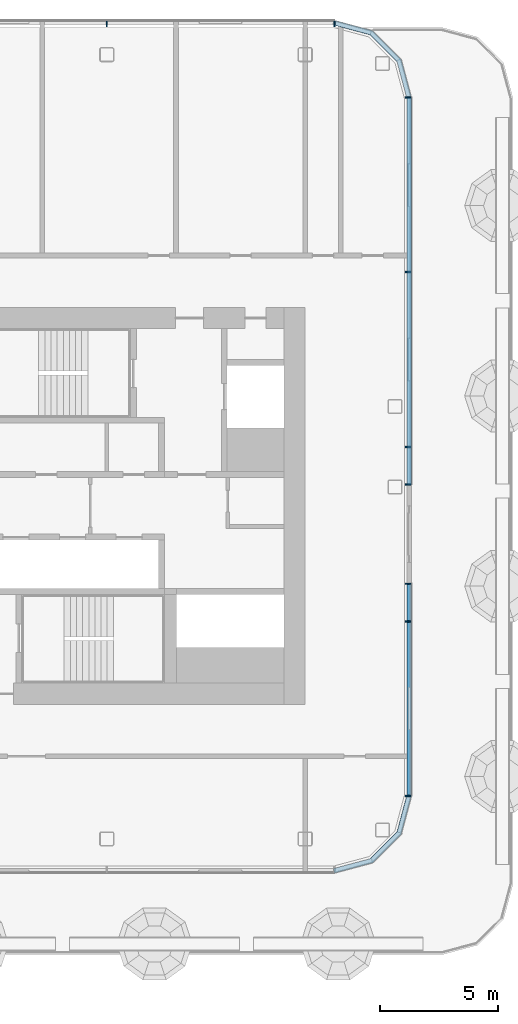
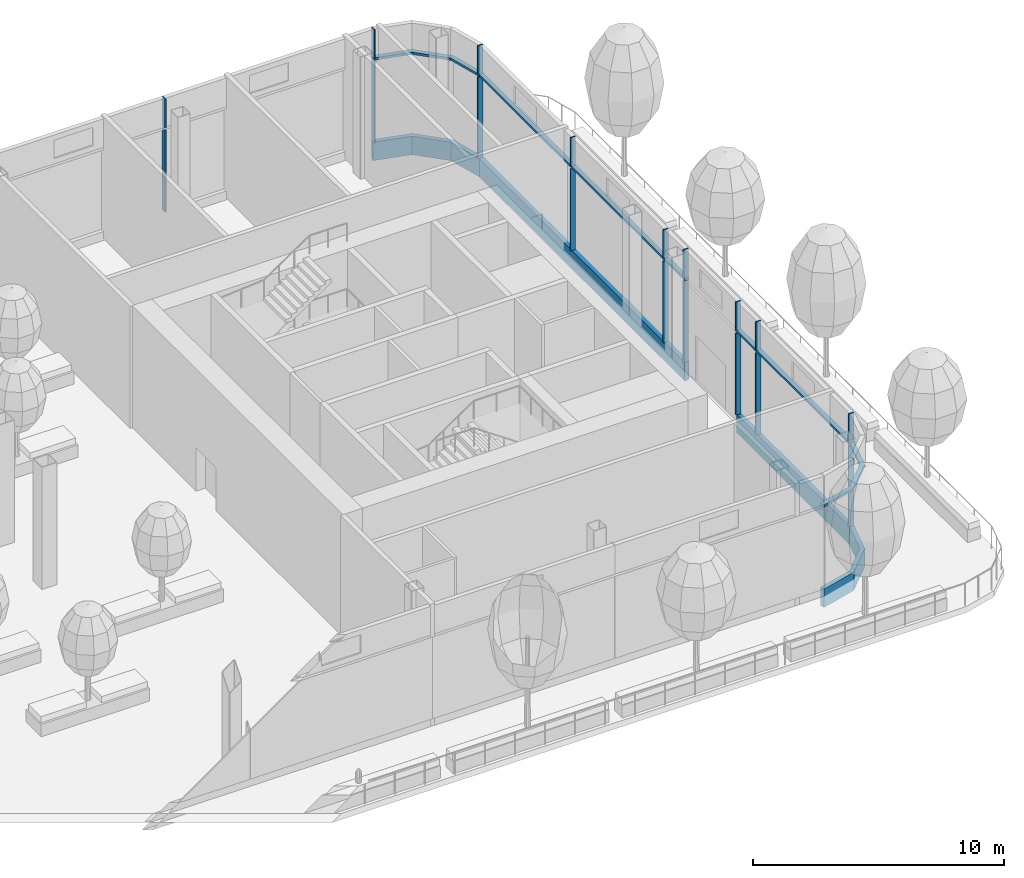
# One storey, part 8 of 41: 26 members, 4 elements without a shape of their own.
"""IFC4 building model written with IfcOpenShell, lengths in metres."""

import ifcopenshell
import ifcopenshell.guid

model = None  # the IFC model being written
_history = None  # IfcOwnerHistory: only IFC2X3 demands one
_inside = {}  # id of a spatial element -> (the spatial element, [elements in it])
_under = {}  # id of a project, library or spatial element -> (it, [spatial elements below it])
_declared = {}  # id of a project -> (the project, [libraries it declares])
_typed = {}  # id of a type object -> (the type object, [elements of that type])
_made_of = {}  # id of a material, layer set ... -> (it, [elements and type objects made of it])


def new_model(schema):
    """Start an empty IFC model of exactly this schema.

    Asked for "IFC4X3", IfcOpenShell would pick the latest addendum, in which some entities
    have other attributes; the version numbers below select the first issue.
    IFC2X3 requires an IfcOwnerHistory on every rooted entity: one is made here for all.
    """
    global model, _history
    if schema == "IFC4X3":
        model = ifcopenshell.file(schema_version=(4, 3, 0, 0))
    else:
        model = ifcopenshell.file(schema=schema)
    _inside.clear()
    _under.clear()
    _declared.clear()
    _typed.clear()
    _made_of.clear()
    _history = None
    if model.schema == "IFC2X3":
        org = make("IfcOrganization", Name="unknown")
        user = make(
            "IfcPersonAndOrganization",
            ThePerson=make("IfcPerson", FamilyName="unknown"),
            TheOrganization=org,
        )
        app = make(
            "IfcApplication",
            ApplicationDeveloper=org,
            Version="unknown",
            ApplicationFullName="unknown",
            ApplicationIdentifier="unknown",
        )
        _history = make(
            "IfcOwnerHistory",
            OwningUser=user,
            OwningApplication=app,
            ChangeAction="ADDED",
            CreationDate=0,
        )
    return model


def make(cls, **values):
    """One entity of the class cls with the attributes given. An attribute that is None is left unset."""
    return model.create_entity(
        cls, **{name: value for name, value in values.items() if value is not None}
    )


def rooted(cls, **values):
    """An entity with a GlobalId (a new one), such as an element, a storey or a relation."""
    return make(cls, GlobalId=ifcopenshell.guid.new(), OwnerHistory=_history, **values)


def si_unit(unit_type, name, prefix=None):
    """IfcSIUnit, for example si_unit("LENGTHUNIT", "METRE", prefix="MILLI")."""
    return make("IfcSIUnit", UnitType=unit_type, Prefix=prefix, Name=name)


def assignment(units):
    """IfcUnitAssignment: the units of a project."""
    return None if units is None else make("IfcUnitAssignment", Units=units)


def point(xyz):
    """IfcCartesianPoint."""
    return None if xyz is None else make("IfcCartesianPoint", Coordinates=xyz)


def direction(xyz):
    """IfcDirection."""
    return None if xyz is None else make("IfcDirection", DirectionRatios=xyz)


def frame(location, z_axis=None, x_axis=None):
    """IfcAxis2Placement3D, a coordinate frame: its origin and axes. An axis left out is left unset."""
    return make(
        "IfcAxis2Placement3D",
        Location=point(location),
        Axis=direction(z_axis),
        RefDirection=direction(x_axis),
    )


def frame_2d(location, x_axis=None):
    """IfcAxis2Placement2D, a coordinate frame in the plane: its origin and x axis."""
    return make(
        "IfcAxis2Placement2D", Location=point(location), RefDirection=direction(x_axis)
    )


def origin():
    """The frame at (0, 0, 0) with its axes left unset."""
    return frame((0.0, 0.0, 0.0))


def origin_2d():
    """The frame at (0, 0) in the plane with its x axis left unset."""
    return frame_2d((0.0, 0.0))


def place(relative_to, where):
    """IfcLocalPlacement: puts the frame where relative to a parent placement (None: the world)."""
    return make(
        "IfcLocalPlacement", PlacementRelTo=relative_to, RelativePlacement=where
    )


def context(
    kind, dimensions, precision=None, world=None, true_north=None, identifier=None
):
    """IfcGeometricRepresentationContext, for example the 3D "Model" context."""
    return make(
        "IfcGeometricRepresentationContext",
        ContextIdentifier=identifier,
        ContextType=kind,
        CoordinateSpaceDimension=dimensions,
        Precision=precision,
        WorldCoordinateSystem=world,
        TrueNorth=true_north,
    )


def subcontext(parent, identifier, kind, view, scale=None):
    """IfcGeometricRepresentationSubContext, for example "Body" below "Model"."""
    return make(
        "IfcGeometricRepresentationSubContext",
        ContextIdentifier=identifier,
        ContextType=kind,
        ParentContext=parent,
        TargetScale=scale,
        TargetView=view,
    )


def project(units=None, contexts=None):
    """IfcProject with its units and contexts."""
    return rooted(
        "IfcProject",
        Name="project",
        RepresentationContexts=contexts,
        UnitsInContext=assignment(units),
    )


def spatial(cls, under=None, at=None, **own):
    """A site, building, storey or space (cls), placed at a placement, below another one or the project."""
    s = rooted(cls, ObjectPlacement=at, **own)
    if under is not None:
        _under.setdefault(under.id(), (under, []))[1].append(s)
    return s


def polyline(points):
    """IfcPolyline through the points."""
    return make("IfcPolyline", Points=[point(p) for p in points])


def profile(cls, at=None, kind="AREA", **sizes):
    """A parametric profile (cls). Its sizes go by their IFC names, for example OverallWidth=200.0."""
    return make(cls, ProfileType=kind, Position=at, **sizes)


def rectangle(**sizes):
    """IfcRectangleProfileDef."""
    return profile("IfcRectangleProfileDef", **sizes)


def outline(outer, holes=None, kind="AREA"):
    """IfcArbitraryClosedProfileDef: a profile drawn as a closed curve; with holes, ...WithVoids."""
    if holes is None:
        return make("IfcArbitraryClosedProfileDef", ProfileType=kind, OuterCurve=outer)
    return make(
        "IfcArbitraryProfileDefWithVoids",
        ProfileType=kind,
        OuterCurve=outer,
        InnerCurves=holes,
    )


def extrude(swept, where, along, depth):
    """IfcExtrudedAreaSolid: the profile swept, set in the frame where, extruded along a direction by depth."""
    return make(
        "IfcExtrudedAreaSolid",
        SweptArea=swept,
        Position=where,
        ExtrudedDirection=direction(along),
        Depth=depth,
    )


def shape(context_of_items, identifier, shape_type, items):
    """IfcShapeRepresentation: the items that make up one representation, for example the "Body"."""
    return make(
        "IfcShapeRepresentation",
        ContextOfItems=context_of_items,
        RepresentationIdentifier=identifier,
        RepresentationType=shape_type,
        Items=items,
    )


def material(Name=None, Category=None):
    """IfcMaterial."""
    return make("IfcMaterial", Name=Name, Category=Category)


def layer(
    of_material, thickness, ventilated=None, Name=None, Category=None, Priority=None
):
    """IfcMaterialLayer: one layer of a wall or slab, of a material (None: an air gap)."""
    return make(
        "IfcMaterialLayer",
        Material=of_material,
        LayerThickness=thickness,
        IsVentilated=ventilated,
        Name=Name,
        Category=Category,
        Priority=Priority,
    )


def layer_set(layers, Name=None):
    """IfcMaterialLayerSet."""
    return make("IfcMaterialLayerSet", MaterialLayers=layers, LayerSetName=Name)


def material_profile(
    of_material, cross_section, Name=None, Category=None, Priority=None
):
    """IfcMaterialProfile: a cross section and its material."""
    return make(
        "IfcMaterialProfile",
        Name=Name,
        Material=of_material,
        Profile=cross_section,
        Priority=Priority,
        Category=Category,
    )


def profile_set(profiles, Name=None, composite=None):
    """IfcMaterialProfileSet."""
    return make(
        "IfcMaterialProfileSet",
        Name=Name,
        MaterialProfiles=profiles,
        CompositeProfile=composite,
    )


def made_of(thing, what):
    """Note that an element or type object is made of a material, layer set ...; save() writes the relation."""
    if what is not None:
        _made_of.setdefault(what.id(), (what, []))[1].append(thing)
    return thing


def type_object(cls, material=None, **own):
    """A type object (cls), such as IfcWallType, which elements share."""
    return made_of(rooted(cls, **own), material)


def element(
    cls,
    number,
    at=None,
    inside=None,
    cuts=None,
    type_object=None,
    material=None,
    context=None,
    identifier="Body",
    shape_type=None,
    held_by="IfcProductDefinitionShape",
    body=None,
    shapes=None,
    **own,
):
    """One element of the class cls, such as IfcWall. Its Tag is "e" and its number.

    at: its placement. inside: the storey or other place that contains it. cuts: it is an
    opening in that element (IfcRelVoidsElement). A single representation is given by context,
    identifier, shape_type and body (its items); several are given by shapes. held_by: the class
    of the entity that holds the representations. save() writes the other relations.
    """
    e = rooted(cls, Tag="e%d" % number, ObjectPlacement=at, **own)
    if body is not None:
        shapes = [shape(context, identifier, shape_type, body)]
    if shapes is not None:
        e.Representation = make(held_by, Representations=shapes)
    if inside is not None:
        _inside.setdefault(inside.id(), (inside, []))[1].append(e)
    if cuts is not None:
        rooted(
            "IfcRelVoidsElement", RelatingBuildingElement=cuts, RelatedOpeningElement=e
        )
    if type_object is not None:
        _typed.setdefault(type_object.id(), (type_object, []))[1].append(e)
    return made_of(e, material)


def aggregate(whole, parts):
    """IfcRelAggregates: a whole, such as a stair, and the parts it consists of."""
    return rooted("IfcRelAggregates", RelatingObject=whole, RelatedObjects=parts)


def save(model, path):
    """Write the relations noted so far, then the file.

    IfcRelAggregates (storeys below a building ...), IfcRelContainedInSpatialStructure (elements
    in a storey), IfcRelDefinesByType, IfcRelAssociatesMaterial and IfcRelDeclares: one each for
    every whole, place, type object, material and project.
    """
    for whole, parts in _under.values():
        aggregate(whole, parts)
    for where, things in _inside.values():
        rooted(
            "IfcRelContainedInSpatialStructure",
            RelatedElements=things,
            RelatingStructure=where,
        )
    for kind, things in _typed.values():
        rooted("IfcRelDefinesByType", RelatedObjects=things, RelatingType=kind)
    for what, things in _made_of.values():
        rooted("IfcRelAssociatesMaterial", RelatedObjects=things, RelatingMaterial=what)
    for by, libraries in _declared.values():
        rooted("IfcRelDeclares", RelatingContext=by, RelatedDefinitions=libraries)
    model.write(path)


model = new_model("IFC4")

# Units and contexts
model_context = context("Model", 3, precision=1e-05, world=origin(), true_north=direction((0.0, 1.0)))
body_context = subcontext(model_context, "Body", "Model", "MODEL_VIEW")
ifc_project = project(units=[si_unit("LENGTHUNIT", "METRE"), si_unit("AREAUNIT", "SQUARE_METRE"), si_unit("VOLUMEUNIT", "CUBIC_METRE"), si_unit("PLANEANGLEUNIT", "RADIAN"), si_unit("MASSUNIT", "GRAM", prefix="KILO")], contexts=[model_context])

# Site, building, storey
site_placement = place(None, origin())
site = spatial("IfcSite", under=ifc_project, at=site_placement, CompositionType="ELEMENT")
building_placement = place(site_placement, origin())
building = spatial("IfcBuilding", under=site, at=building_placement, Name="Hakoniwa Tower and Hamabe Station Hall", CompositionType="ELEMENT")
storey_placement = place(building_placement, frame((0.0, 0.0, 180.199951171875)))
storey = spatial("IfcBuildingStorey", under=building, at=storey_placement, Name="L51", CompositionType="ELEMENT", Elevation=180.199951171875)

# Curtain wall, members
ifc_material_1 = material(Name="Dark low-e laminated glass", Category="glass")
ifc_layer = layer(ifc_material_1, 0.199951171875)
ifc_layer_set = layer_set([ifc_layer], Name="CW-2 SKY GARDEN")
curtain_wall_type = type_object("IfcCurtainWallType", Name="CW-2 SKY GARDEN", PredefinedType="NOTDEFINED", material=ifc_layer_set)
curtain_wall_1_placement = place(storey_placement, origin())
curtain_wall_1 = element("IfcCurtainWall", 1, at=curtain_wall_1_placement, inside=storey, type_object=curtain_wall_type, Name="CW-2 curtain wall", PredefinedType="NOTDEFINED")
ifc_material_2 = material(Name="Aluminium 6063-T5 black anodised", Category="aluminium")
ifc_material_profile_1 = material_profile(ifc_material_2, rectangle(XDim=0.199951171875, YDim=0.1201171875, at=origin_2d()), Name="CW MID TRANSOM 120X200")
ifc_profile_set_1 = profile_set([ifc_material_profile_1], Name="Aluminium 6063-T5 black anodised")
member_type_1 = type_object("IfcMemberType", Name="CW MID TRANSOM 120X200", PredefinedType="USERDEFINED", material=ifc_profile_set_1)
member_1_placement = place(storey_placement, frame((38.0, -12.28955078125, 4.39013671875), z_axis=(0.0, 1.0, 0.0), x_axis=(-1.0, 0.0, 0.0)))
member_1 = element("IfcMember", 2, at=member_1_placement, type_object=member_type_1, Name="CW-2 transom", ObjectType="TRANSOM", PredefinedType="USERDEFINED", context=body_context, shape_type="SweptSolid", body=[
    extrude(rectangle(XDim=0.199951171875, YDim=0.1201171875, at=origin_2d()), origin(), (0.0, 0.0, 1.0), 9.022216796875),
])
member_2_placement = place(storey_placement, frame((38.0, 0.87255859375, 4.39013671875), z_axis=(0.0, 1.0, 0.0), x_axis=(-1.0, 0.0, 0.0)))
member_2 = element("IfcMember", 3, at=member_2_placement, type_object=member_type_1, Name="CW-2 transom", ObjectType="TRANSOM", PredefinedType="USERDEFINED", context=body_context, shape_type="SweptSolid", body=[
    extrude(rectangle(XDim=0.199951171875, YDim=0.1201171875, at=origin_2d()), origin(), (0.0, 0.0, 1.0), 16.4169921875),
])

# Curtain wall, member
curtain_wall_2_placement = place(storey_placement, origin())
curtain_wall_2 = element("IfcCurtainWall", 4, at=curtain_wall_2_placement, inside=storey, type_object=curtain_wall_type, Name="CW-2 curtain wall", PredefinedType="NOTDEFINED")
member_3_placement = place(storey_placement, frame((0.0, 0.0, 4.330078125)))
member_3 = element("IfcMember", 5, at=member_3_placement, type_object=member_type_1, Name="CW-2 transom", ObjectType="TRANSOM", PredefinedType="USERDEFINED", context=body_context, shape_type="SweptSolid", body=[
    extrude(outline(polyline([(38.10009765625, 17.28955078125), (37.6669921875, 18.9052734375), (36.455322265625, 20.116943359375), (34.839599609375, 20.550048828125), (34.787841796875, 20.35693359375), (36.351806640625, 19.937744140625), (37.48779296875, 18.8017578125), (37.90673828125, 17.23779296875), (38.10009765625, 17.28955078125)])), origin(), (0.0, 0.0, 1.0), 0.119873046875),
])

curtain_wall_3_placement = place(storey_placement, origin())
curtain_wall_3 = element("IfcCurtainWall", 6, at=curtain_wall_3_placement, inside=storey, type_object=curtain_wall_type, Name="CW-2 curtain wall", PredefinedType="NOTDEFINED")
member_4_placement = place(storey_placement, frame((0.0, 0.0, 4.330078125)))
member_4 = element("IfcMember", 7, at=member_4_placement, type_object=member_type_1, Name="CW-2 transom", ObjectType="TRANSOM", PredefinedType="USERDEFINED", context=body_context, shape_type="SweptSolid", body=[
    extrude(outline(polyline([(34.839599609375, -15.550048828125), (36.455322265625, -15.116943359375), (37.6669921875, -13.9052734375), (38.10009765625, -12.28955078125), (37.90673828125, -12.23779296875), (37.48779296875, -13.8017578125), (36.351806640625, -14.937744140625), (34.787841796875, -15.35693359375), (34.839599609375, -15.550048828125)])), origin(), (0.0, 0.0, 1.0), 0.119873046875),
])

# Member
ifc_material_3 = material(Name="Aluminium 6063-T5 black anodised", Category="aluminium")
ifc_material_profile_2 = material_profile(ifc_material_3, rectangle(XDim=0.199951171875, YDim=0.89990234375, at=origin_2d()), Name="CW SLAB-EDGE BAND 900X200")
ifc_profile_set_2 = profile_set([ifc_material_profile_2], Name="Aluminium 6063-T5 black anodised")
member_type_2 = type_object("IfcMemberType", Name="CW SLAB-EDGE BAND 900X200", PredefinedType="USERDEFINED", material=ifc_profile_set_2)
member_5_placement = place(storey_placement, frame((38.0, -12.28955078125, -0.099853515625), z_axis=(0.0, 1.0, 0.0), x_axis=(-1.0, 0.0, 0.0)))
member_5 = element("IfcMember", 8, at=member_5_placement, type_object=member_type_2, Name="CW-2 transom", ObjectType="TRANSOM", PredefinedType="USERDEFINED", context=body_context, shape_type="SweptSolid", body=[
    extrude(rectangle(XDim=0.199951171875, YDim=0.89990234375, at=origin_2d()), origin(), (0.0, 0.0, 1.0), 9.022216796875),
])

member_6_placement = place(storey_placement, frame((38.0, 0.87255859375, -0.099853515625), z_axis=(0.0, 1.0, 0.0), x_axis=(-1.0, 0.0, 0.0)))
member_6 = element("IfcMember", 9, at=member_6_placement, type_object=member_type_2, Name="CW-2 transom", ObjectType="TRANSOM", PredefinedType="USERDEFINED", context=body_context, shape_type="SweptSolid", body=[
    extrude(rectangle(XDim=0.199951171875, YDim=0.89990234375, at=origin_2d()), origin(), (0.0, 0.0, 1.0), 16.4169921875),
])

member_7_placement = place(storey_placement, frame((0.0, 0.0, -0.550048828125)))
member_7 = element("IfcMember", 10, at=member_7_placement, type_object=member_type_2, Name="CW-2 transom", ObjectType="TRANSOM", PredefinedType="USERDEFINED", context=body_context, shape_type="SweptSolid", body=[
    extrude(outline(polyline([(38.10009765625, 17.28955078125), (37.6669921875, 18.9052734375), (36.455322265625, 20.116943359375), (34.839599609375, 20.550048828125), (34.787841796875, 20.35693359375), (36.351806640625, 19.937744140625), (37.48779296875, 18.8017578125), (37.90673828125, 17.23779296875), (38.10009765625, 17.28955078125)])), origin(), (0.0, 0.0, 1.0), 0.900146484375),
])

aggregate(curtain_wall_2, [member_7, member_3])

member_8_placement = place(storey_placement, frame((0.0, 0.0, -0.550048828125)))
member_8 = element("IfcMember", 11, at=member_8_placement, type_object=member_type_2, Name="CW-2 transom", ObjectType="TRANSOM", PredefinedType="USERDEFINED", context=body_context, shape_type="SweptSolid", body=[
    extrude(outline(polyline([(34.839599609375, -15.550048828125), (36.455322265625, -15.116943359375), (37.6669921875, -13.9052734375), (38.10009765625, -12.28955078125), (37.90673828125, -12.23779296875), (37.48779296875, -13.8017578125), (36.351806640625, -14.937744140625), (34.787841796875, -15.35693359375), (34.839599609375, -15.550048828125)])), origin(), (0.0, 0.0, 1.0), 0.900146484375),
])

aggregate(curtain_wall_3, [member_8, member_4])

ifc_material_4 = material(Name="Aluminium 6063-T5 black anodised", Category="aluminium")
ifc_material_profile_3 = material_profile(ifc_material_4, rectangle(XDim=0.06005859375, YDim=0.239990234375, at=origin_2d()), Name="CW-2 MULLION 60X240")
ifc_profile_set_3 = profile_set([ifc_material_profile_3], Name="Aluminium 6063-T5 black anodised")
member_type_3 = type_object("IfcMemberType", Name="CW-2 MULLION 60X240", PredefinedType="MULLION", material=ifc_profile_set_3)
member_9_placement = place(storey_placement, frame((37.951904296875, -12.28955078125, 0.35009765625), z_axis=(0.0, 0.0, 1.0), x_axis=(0.0, 1.0, 0.0)))
member_9 = element("IfcMember", 12, at=member_9_placement, type_object=member_type_3, Name="CW-2 mullion", PredefinedType="MULLION", context=body_context, shape_type="SweptSolid", body=[
    extrude(rectangle(XDim=0.06005859375, YDim=0.239990234375, at=origin_2d()), origin(), (0.0, 0.0, 1.0), 3.97998046875),
])

member_10_placement = place(storey_placement, frame((37.951904296875, -12.28955078125, 4.449951171875), z_axis=(0.0, 0.0, 1.0), x_axis=(0.0, 1.0, 0.0)))
member_10 = element("IfcMember", 13, at=member_10_placement, type_object=member_type_3, Name="CW-2 mullion", PredefinedType="MULLION", context=body_context, shape_type="SweptSolid", body=[
    extrude(rectangle(XDim=0.06005859375, YDim=0.239990234375, at=origin_2d()), origin(), (0.0, 0.0, 1.0), 1.400146484375),
])

member_11_placement = place(storey_placement, frame((37.951904296875, -4.894775390625, 0.35009765625), z_axis=(0.0, 0.0, 1.0), x_axis=(0.0, 1.0, 0.0)))
member_11 = element("IfcMember", 14, at=member_11_placement, type_object=member_type_3, Name="CW-2 mullion", PredefinedType="MULLION", context=body_context, shape_type="SweptSolid", body=[
    extrude(rectangle(XDim=0.06005859375, YDim=0.239990234375, at=origin_2d()), origin(), (0.0, 0.0, 1.0), 3.97998046875),
])

member_12_placement = place(storey_placement, frame((37.951904296875, -4.894775390625, 4.449951171875), z_axis=(0.0, 0.0, 1.0), x_axis=(0.0, 1.0, 0.0)))
member_12 = element("IfcMember", 15, at=member_12_placement, type_object=member_type_3, Name="CW-2 mullion", PredefinedType="MULLION", context=body_context, shape_type="SweptSolid", body=[
    extrude(rectangle(XDim=0.06005859375, YDim=0.239990234375, at=origin_2d()), origin(), (0.0, 0.0, 1.0), 1.400146484375),
])

member_13_placement = place(storey_placement, frame((37.951904296875, -3.29736328125, 0.35009765625), z_axis=(0.0, 0.0, 1.0), x_axis=(0.0, 1.0, 0.0)))
member_13 = element("IfcMember", 16, at=member_13_placement, type_object=member_type_3, Name="CW-2 mullion", PredefinedType="MULLION", context=body_context, shape_type="SweptSolid", body=[
    extrude(rectangle(XDim=0.06005859375, YDim=0.239990234375, at=origin_2d()), origin(), (0.0, 0.0, 1.0), 3.97998046875),
])

member_14_placement = place(storey_placement, frame((37.951904296875, -3.29736328125, 4.449951171875), z_axis=(0.0, 0.0, 1.0), x_axis=(0.0, 1.0, 0.0)))
member_14 = element("IfcMember", 17, at=member_14_placement, type_object=member_type_3, Name="CW-2 mullion", PredefinedType="MULLION", context=body_context, shape_type="SweptSolid", body=[
    extrude(rectangle(XDim=0.06005859375, YDim=0.239990234375, at=origin_2d()), origin(), (0.0, 0.0, 1.0), 1.400146484375),
])

member_15_placement = place(storey_placement, frame((37.951904296875, 0.902587890625, 0.35009765625), z_axis=(0.0, 0.0, 1.0), x_axis=(0.0, 1.0, 0.0)))
member_15 = element("IfcMember", 18, at=member_15_placement, type_object=member_type_3, Name="CW-2 mullion", PredefinedType="MULLION", context=body_context, shape_type="SweptSolid", body=[
    extrude(rectangle(XDim=0.06005859375, YDim=0.239990234375, at=origin_2d()), origin(), (0.0, 0.0, 1.0), 3.97998046875),
])

member_16_placement = place(storey_placement, frame((37.951904296875, 0.902587890625, 4.449951171875), z_axis=(0.0, 0.0, 1.0), x_axis=(0.0, 1.0, 0.0)))
member_16 = element("IfcMember", 19, at=member_16_placement, type_object=member_type_3, Name="CW-2 mullion", PredefinedType="MULLION", context=body_context, shape_type="SweptSolid", body=[
    extrude(rectangle(XDim=0.06005859375, YDim=0.239990234375, at=origin_2d()), origin(), (0.0, 0.0, 1.0), 1.400146484375),
])

member_17_placement = place(storey_placement, frame((37.951904296875, 2.5, 0.35009765625), z_axis=(0.0, 0.0, 1.0), x_axis=(0.0, 1.0, 0.0)))
member_17 = element("IfcMember", 20, at=member_17_placement, type_object=member_type_3, Name="CW-2 mullion", PredefinedType="MULLION", context=body_context, shape_type="SweptSolid", body=[
    extrude(rectangle(XDim=0.06005859375, YDim=0.239990234375, at=origin_2d()), origin(), (0.0, 0.0, 1.0), 3.97998046875),
])

member_18_placement = place(storey_placement, frame((37.951904296875, 2.5, 4.449951171875), z_axis=(0.0, 0.0, 1.0), x_axis=(0.0, 1.0, 0.0)))
member_18 = element("IfcMember", 21, at=member_18_placement, type_object=member_type_3, Name="CW-2 mullion", PredefinedType="MULLION", context=body_context, shape_type="SweptSolid", body=[
    extrude(rectangle(XDim=0.06005859375, YDim=0.239990234375, at=origin_2d()), origin(), (0.0, 0.0, 1.0), 1.400146484375),
])

member_19_placement = place(storey_placement, frame((37.951904296875, 9.894775390625, 0.35009765625), z_axis=(0.0, 0.0, 1.0), x_axis=(0.0, 1.0, 0.0)))
member_19 = element("IfcMember", 22, at=member_19_placement, type_object=member_type_3, Name="CW-2 mullion", PredefinedType="MULLION", context=body_context, shape_type="SweptSolid", body=[
    extrude(rectangle(XDim=0.06005859375, YDim=0.239990234375, at=origin_2d()), origin(), (0.0, 0.0, 1.0), 3.97998046875),
])

member_20_placement = place(storey_placement, frame((37.951904296875, 9.894775390625, 4.449951171875), z_axis=(0.0, 0.0, 1.0), x_axis=(0.0, 1.0, 0.0)))
member_20 = element("IfcMember", 23, at=member_20_placement, type_object=member_type_3, Name="CW-2 mullion", PredefinedType="MULLION", context=body_context, shape_type="SweptSolid", body=[
    extrude(rectangle(XDim=0.06005859375, YDim=0.239990234375, at=origin_2d()), origin(), (0.0, 0.0, 1.0), 1.400146484375),
])

member_21_placement = place(storey_placement, frame((37.951904296875, 17.28955078125, 0.35009765625), z_axis=(0.0, 0.0, 1.0), x_axis=(0.0, 1.0, 0.0)))
member_21 = element("IfcMember", 24, at=member_21_placement, type_object=member_type_3, Name="CW-2 mullion", PredefinedType="MULLION", context=body_context, shape_type="SweptSolid", body=[
    extrude(rectangle(XDim=0.06005859375, YDim=0.239990234375, at=origin_2d()), origin(), (0.0, 0.0, 1.0), 3.97998046875),
])

member_22_placement = place(storey_placement, frame((37.951904296875, 17.28955078125, 4.449951171875), z_axis=(0.0, 0.0, 1.0), x_axis=(0.0, 1.0, 0.0)))
member_22 = element("IfcMember", 25, at=member_22_placement, type_object=member_type_3, Name="CW-2 mullion", PredefinedType="MULLION", context=body_context, shape_type="SweptSolid", body=[
    extrude(rectangle(XDim=0.06005859375, YDim=0.239990234375, at=origin_2d()), origin(), (0.0, 0.0, 1.0), 1.400146484375),
])

aggregate(curtain_wall_1, [member_9, member_10, member_11, member_12, member_13, member_14, member_15, member_16, member_17, member_18, member_19, member_20, member_21, member_22, member_5, member_1, member_6, member_2])

# Curtain wall, members
curtain_wall_4_placement = place(storey_placement, origin())
curtain_wall_4 = element("IfcCurtainWall", 26, at=curtain_wall_4_placement, inside=storey, type_object=curtain_wall_type, Name="CW-2 curtain wall", PredefinedType="NOTDEFINED")
member_23_placement = place(storey_placement, frame((34.839599609375, 20.402099609375, 0.35009765625), z_axis=(0.0, 0.0, 1.0), x_axis=(-1.0, 0.0, 0.0)))
member_23 = element("IfcMember", 27, at=member_23_placement, type_object=member_type_3, Name="CW-2 mullion", PredefinedType="MULLION", context=body_context, shape_type="SweptSolid", body=[
    extrude(rectangle(XDim=0.06005859375, YDim=0.239990234375, at=origin_2d()), origin(), (0.0, 0.0, 1.0), 3.97998046875),
])
member_24_placement = place(storey_placement, frame((34.839599609375, 20.402099609375, 4.449951171875), z_axis=(0.0, 0.0, 1.0), x_axis=(-1.0, 0.0, 0.0)))
member_24 = element("IfcMember", 28, at=member_24_placement, type_object=member_type_3, Name="CW-2 mullion", PredefinedType="MULLION", context=body_context, shape_type="SweptSolid", body=[
    extrude(rectangle(XDim=0.06005859375, YDim=0.239990234375, at=origin_2d()), origin(), (0.0, 0.0, 1.0), 1.400146484375),
])
member_25_placement = place(storey_placement, frame((25.199951171875, 20.402099609375, 0.35009765625), z_axis=(0.0, 0.0, 1.0), x_axis=(-1.0, 0.0, 0.0)))
member_25 = element("IfcMember", 29, at=member_25_placement, type_object=member_type_3, Name="CW-2 mullion", PredefinedType="MULLION", context=body_context, shape_type="SweptSolid", body=[
    extrude(rectangle(XDim=0.06005859375, YDim=0.239990234375, at=origin_2d()), origin(), (0.0, 0.0, 1.0), 3.97998046875),
])
member_26_placement = place(storey_placement, frame((25.199951171875, 20.402099609375, 4.449951171875), z_axis=(0.0, 0.0, 1.0), x_axis=(-1.0, 0.0, 0.0)))
member_26 = element("IfcMember", 30, at=member_26_placement, type_object=member_type_3, Name="CW-2 mullion", PredefinedType="MULLION", context=body_context, shape_type="SweptSolid", body=[
    extrude(rectangle(XDim=0.06005859375, YDim=0.239990234375, at=origin_2d()), origin(), (0.0, 0.0, 1.0), 1.400146484375),
])
aggregate(curtain_wall_4, [member_23, member_24, member_25, member_26])

save(model, "model.ifc")
